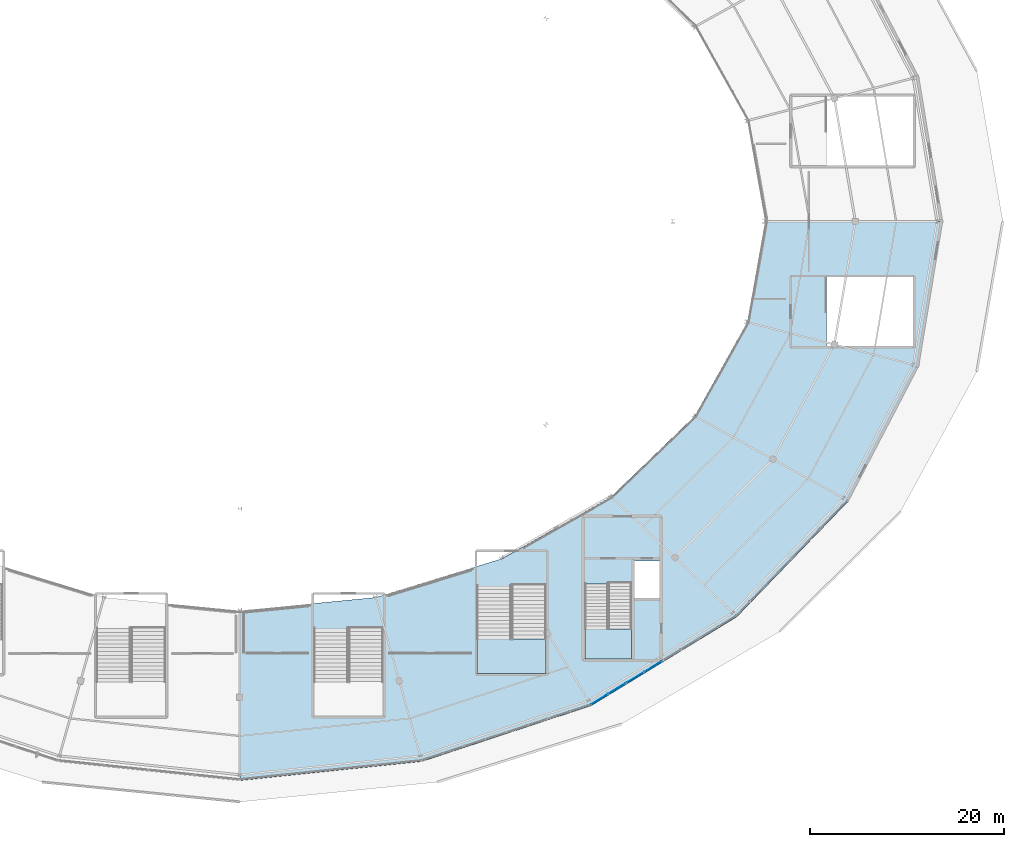
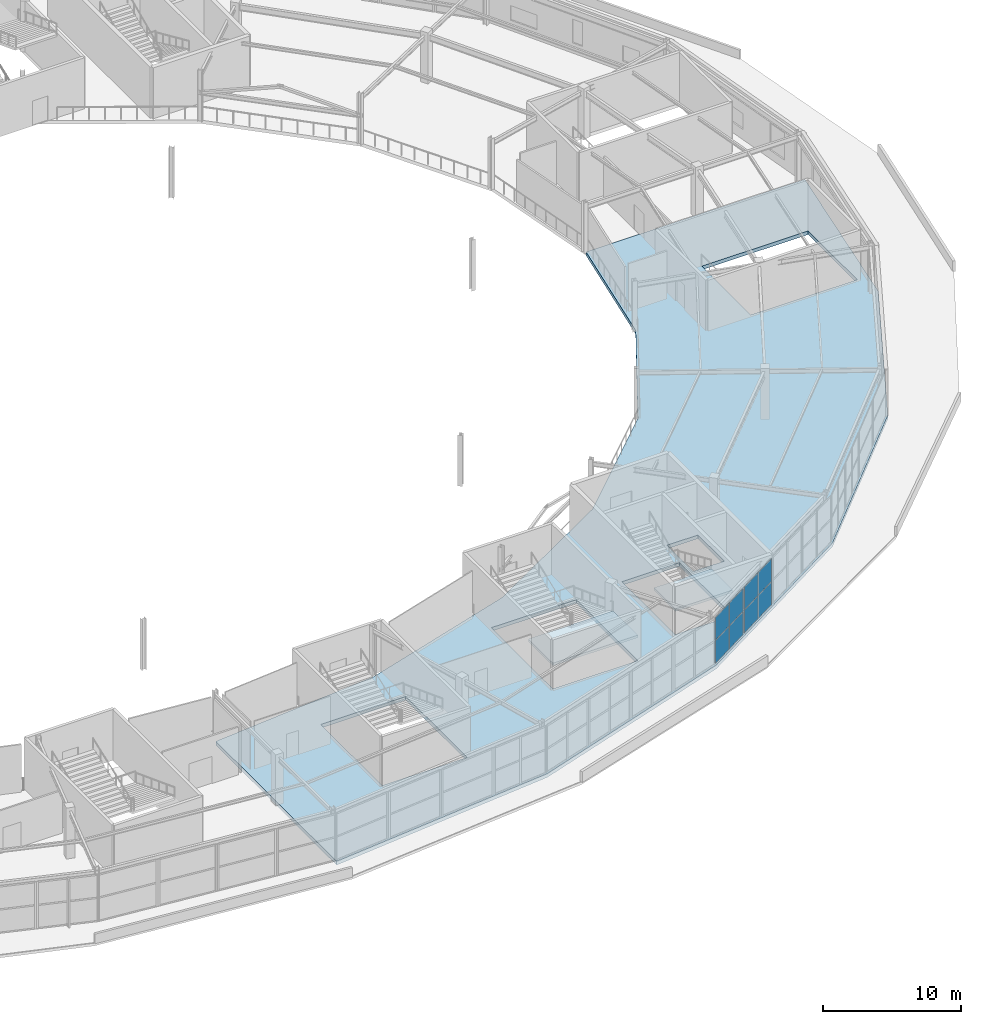
# One storey, part 95 of 126: 8 plates, 3 slabs, 4 elements without a shape of their own.
"""IFC4 building model written with IfcOpenShell, lengths in metres."""

from ifc_helpers import new_model, si_unit, direction, frame, origin, origin_2d, place, context, subcontext, project, spatial, polyline, rectangle, outline, extrude, material, layer, layer_set, type_object, element, aggregate, save


model = new_model("IFC4")

# Units and contexts
model_context = context("Model", 3, precision=1e-05, world=origin(), true_north=direction((0.0, 1.0)))
body_context = subcontext(model_context, "Body", "Model", "MODEL_VIEW")
ifc_project = project(units=[si_unit("LENGTHUNIT", "METRE"), si_unit("AREAUNIT", "SQUARE_METRE"), si_unit("VOLUMEUNIT", "CUBIC_METRE"), si_unit("PLANEANGLEUNIT", "RADIAN"), si_unit("MASSUNIT", "GRAM", prefix="KILO")], contexts=[model_context])

# Site, building, storey
site_placement = place(None, origin())
site = spatial("IfcSite", under=ifc_project, at=site_placement, CompositionType="ELEMENT")
building_placement = place(site_placement, origin())
building = spatial("IfcBuilding", under=site, at=building_placement, Name="Kalgoora Escarpment Arena", CompositionType="ELEMENT")
storey_placement = place(building_placement, frame((0.0, 0.0, 18.89990234375)))
storey = spatial("IfcBuildingStorey", under=building, at=storey_placement, Name="L04", CompositionType="ELEMENT", Elevation=18.89990234375)

# Curtain wall, plates
ifc_material_1 = material(Name=" Champagne anodised aluminium & double-glazed low-E", Category="aluminium")
ifc_layer_1 = layer(ifc_material_1, 0.14990234375)
ifc_layer_set_1 = layer_set([ifc_layer_1], Name="CW-UNIT-05")
curtain_wall_type_1 = type_object("IfcCurtainWallType", Name="CW-UNIT-05", PredefinedType="NOTDEFINED", material=ifc_layer_set_1)
curtain_wall_1_placement = place(storey_placement, origin())
curtain_wall_1 = element("IfcCurtainWall", 1, at=curtain_wall_1_placement, inside=storey, type_object=curtain_wall_type_1, Name="L04 unitised facade curtain wall 104", PredefinedType="NOTDEFINED")
ifc_material_2 = material(Name="Low-E double-glazed insulated glass", Category="glass")
ifc_layer_2 = layer(ifc_material_2, 0.028076171875)
ifc_layer_set_2 = layer_set([ifc_layer_2], Name="PLT-CW-GLAZ-28")
plate_type_1 = type_object("IfcPlateType", Name="PLT-CW-GLAZ-28", PredefinedType="CURTAIN_PANEL", material=ifc_layer_set_2)
plate_1_placement = place(storey_placement, frame((134.9599609375, 18.14013671875, 0.080078125), z_axis=(0.0, 0.0, 1.0), x_axis=(-0.853527069701, -0.521048501858, 0.0)))
plate_1 = element("IfcPlate", 2, at=plate_1_placement, type_object=plate_type_1, Name="CW-05 panel 1.1", PredefinedType="CURTAIN_PANEL", context=body_context, shape_type="SweptSolid", body=[
    extrude(rectangle(XDim=2.028564453125, YDim=0.028076171875, at=origin_2d()), origin(), (0.0, 0.0, 1.0), 2.0048828125),
])
plate_2_placement = place(storey_placement, frame((134.9599609375, 18.14013671875, 2.14501953125), z_axis=(0.0, 0.0, 1.0), x_axis=(-0.853527069701, -0.521048501858, 0.0)))
plate_2 = element("IfcPlate", 3, at=plate_2_placement, type_object=plate_type_1, Name="CW-05 panel 1.2", PredefinedType="CURTAIN_PANEL", context=body_context, shape_type="SweptSolid", body=[
    extrude(rectangle(XDim=2.028564453125, YDim=0.028076171875, at=origin_2d()), origin(), (0.0, 0.0, 1.0), 1.985107421875),
])
plate_3_placement = place(storey_placement, frame((133.173095703125, 17.04931640625, 0.080078125), z_axis=(0.0, 0.0, 1.0), x_axis=(-0.853527069701, -0.521048501858, 0.0)))
plate_3 = element("IfcPlate", 4, at=plate_3_placement, type_object=plate_type_1, Name="CW-05 panel 2.1", PredefinedType="CURTAIN_PANEL", context=body_context, shape_type="SweptSolid", body=[
    extrude(rectangle(XDim=2.028564453125, YDim=0.028076171875, at=origin_2d()), origin(), (0.0, 0.0, 1.0), 2.0048828125),
])
plate_4_placement = place(storey_placement, frame((133.173095703125, 17.04931640625, 2.14501953125), z_axis=(0.0, 0.0, 1.0), x_axis=(-0.853527069701, -0.521048501858, 0.0)))
plate_4 = element("IfcPlate", 5, at=plate_4_placement, type_object=plate_type_1, Name="CW-05 panel 2.2", PredefinedType="CURTAIN_PANEL", context=body_context, shape_type="SweptSolid", body=[
    extrude(rectangle(XDim=2.028564453125, YDim=0.028076171875, at=origin_2d()), origin(), (0.0, 0.0, 1.0), 1.985107421875),
])
aggregate(curtain_wall_1, [plate_1, plate_2, plate_3, plate_4])

ifc_material_3 = material(Name=" Champagne anodised aluminium & double-glazed low-E", Category="aluminium")
ifc_layer_3 = layer(ifc_material_3, 0.154052734375)
ifc_layer_set_3 = layer_set([ifc_layer_3], Name="CW-UNIT-06")
curtain_wall_type_2 = type_object("IfcCurtainWallType", Name="CW-UNIT-06", PredefinedType="NOTDEFINED", material=ifc_layer_set_3)
curtain_wall_2_placement = place(storey_placement, origin())
curtain_wall_2 = element("IfcCurtainWall", 6, at=curtain_wall_2_placement, inside=storey, type_object=curtain_wall_type_2, Name="L04 unitised facade curtain wall 105", PredefinedType="NOTDEFINED")
ifc_material_4 = material(Name="Acoustic laminated solar-control glass", Category="glass")
ifc_layer_4 = layer(ifc_material_4, 0.033935546875)
ifc_layer_set_4 = layer_set([ifc_layer_4], Name="PLT-CW-GLAZ-34")
plate_type_2 = type_object("IfcPlateType", Name="PLT-CW-GLAZ-34", PredefinedType="CURTAIN_PANEL", material=ifc_layer_set_4)
plate_5_placement = place(storey_placement, frame((131.245361328125, 15.87255859375, 0.080078125), z_axis=(0.0, 0.0, 1.0), x_axis=(-0.853520684485, -0.521058961304, 0.0)))
plate_5 = element("IfcPlate", 7, at=plate_5_placement, type_object=plate_type_2, Name="CW-06 panel 1.1", PredefinedType="CURTAIN_PANEL", context=body_context, shape_type="SweptSolid", body=[
    extrude(rectangle(XDim=2.028564453125, YDim=0.033935546875, at=origin_2d()), origin(), (0.0, 0.0, 1.0), 2.0048828125),
])
plate_6_placement = place(storey_placement, frame((131.245361328125, 15.87255859375, 2.14501953125), z_axis=(0.0, 0.0, 1.0), x_axis=(-0.853520684485, -0.521058961304, 0.0)))
plate_6 = element("IfcPlate", 8, at=plate_6_placement, type_object=plate_type_2, Name="CW-06 panel 1.2", PredefinedType="CURTAIN_PANEL", context=body_context, shape_type="SweptSolid", body=[
    extrude(rectangle(XDim=2.028564453125, YDim=0.033935546875, at=origin_2d()), origin(), (0.0, 0.0, 1.0), 1.985107421875),
])
plate_7_placement = place(storey_placement, frame((129.458740234375, 14.78173828125, 0.080078125), z_axis=(0.0, 0.0, 1.0), x_axis=(-0.853520684485, -0.521058961304, 0.0)))
plate_7 = element("IfcPlate", 9, at=plate_7_placement, type_object=plate_type_2, Name="CW-06 panel 2.1", PredefinedType="CURTAIN_PANEL", context=body_context, shape_type="SweptSolid", body=[
    extrude(rectangle(XDim=2.028564453125, YDim=0.033935546875, at=origin_2d()), origin(), (0.0, 0.0, 1.0), 2.0048828125),
])
plate_8_placement = place(storey_placement, frame((129.458740234375, 14.78173828125, 2.14501953125), z_axis=(0.0, 0.0, 1.0), x_axis=(-0.853520684485, -0.521058961304, 0.0)))
plate_8 = element("IfcPlate", 10, at=plate_8_placement, type_object=plate_type_2, Name="CW-06 panel 2.2", PredefinedType="CURTAIN_PANEL", context=body_context, shape_type="SweptSolid", body=[
    extrude(rectangle(XDim=2.028564453125, YDim=0.033935546875, at=origin_2d()), origin(), (0.0, 0.0, 1.0), 1.985107421875),
])
aggregate(curtain_wall_2, [plate_5, plate_6, plate_7, plate_8])

# Slab
ifc_material_5 = material(Name="Concrete N50 (fc' 50 MPa)", Category="concrete")
ifc_layer_5 = layer(ifc_material_5, 0.320068359375)
ifc_layer_set_5 = layer_set([ifc_layer_5], Name="SLB-SKY-320")
slab_type_1 = type_object("IfcSlabType", Name="SLB-SKY-320", PredefinedType="FLOOR", material=ifc_layer_set_5)
slab_1_placement = place(storey_placement, frame((0.0, 0.0, -0.31982421875)))
element("IfcSlab", 11, at=slab_1_placement, inside=storey, type_object=slab_type_1, Name="L04 concourse ring SE floor slab", PredefinedType="FLOOR", context=body_context, shape_type="SweptSolid", body=[
    extrude(outline(polyline([(128.60009765625, 14.116943359375), (111.138427734375, 8.36279296875), (92.39990234375, 6.39990234375), (92.39990234375, 23.89990234375), (106.402099609375, 25.266357421875), (119.449951171875, 29.2724609375), (130.654541015625, 35.64501953125), (139.251953125, 43.949951171875), (144.656494140625, 53.621337890625), (146.5, 64.0), (164.800048828125, 64.0), (162.3330078125, 49.092041015625), (155.10009765625, 35.199951171875), (143.594482421875, 23.2705078125), (128.60009765625, 14.116943359375)]), holes=[polyline([(100.050048828125, 21.949951171875), (100.050048828125, 13.050048828125), (107.14990234375, 13.050048828125), (107.14990234375, 21.949951171875), (100.050048828125, 21.949951171875)]), polyline([(116.85009765625, 26.35009765625), (116.85009765625, 17.449951171875), (123.949951171875, 17.449951171875), (123.949951171875, 26.35009765625), (116.85009765625, 26.35009765625)]), polyline([(127.949951171875, 26.64990234375), (127.949951171875, 18.949951171875), (132.75, 18.949951171875), (132.75, 26.64990234375), (127.949951171875, 26.64990234375)]), polyline([(135.64990234375, 29.0), (133.050048828125, 29.0), (133.050048828125, 25.199951171875), (135.64990234375, 25.199951171875), (135.64990234375, 29.0)]), polyline([(161.75, 58.25), (152.85009765625, 58.25), (152.85009765625, 51.14990234375), (161.75, 51.14990234375), (161.75, 58.25)])]), origin(), (0.0, 0.0, 1.0), 0.31982421875),
])

# Stair, slab
ifc_material_6 = material(Name="Concrete N40 (fc' 40 MPa)", Category="concrete")
stair_type_1 = type_object("IfcStairType", Name="STR-EXIT-2", PredefinedType="HALF_TURN_STAIR", material=ifc_material_6)
stair_1_placement = place(storey_placement, origin())
stair_1 = element("IfcStair", 12, at=stair_1_placement, inside=storey, type_object=stair_type_1, Name="Fire-isolated exit stair ST06 (L04)", PredefinedType="HALF_TURN_STAIR")
ifc_material_7 = material(Name="Concrete N40 (fc' 40 MPa)", Category="concrete")
ifc_layer_6 = layer(ifc_material_7, 0.219970703125)
ifc_layer_set_6 = layer_set([ifc_layer_6], Name="SLB-ST-LAND-220")
slab_type_2 = type_object("IfcSlabType", Name="SLB-ST-LAND-220", PredefinedType="LANDING", material=ifc_layer_set_6)
slab_2_placement = place(storey_placement, frame((0.0, 0.0, 2.030029296875)))
slab_2 = element("IfcSlab", 13, at=slab_2_placement, type_object=slab_type_2, Name="ST06 L04 half-landing", PredefinedType="LANDING", context=body_context, shape_type="SweptSolid", body=[
    extrude(outline(polyline([(132.75, 22.0400390625), (132.75, 18.949951171875), (127.949951171875, 18.949951171875), (127.949951171875, 22.0400390625), (132.75, 22.0400390625)])), origin(), (0.0, 0.0, 1.0), 0.219970703125),
])
aggregate(stair_1, [slab_2])

ifc_material_8 = material(Name="Precast concrete N50 (fc' 50 MPa)", Category="concrete")
stair_type_2 = type_object("IfcStairType", Name="STR-STAD-4", PredefinedType="HALF_TURN_STAIR", material=ifc_material_8)
stair_2_placement = place(storey_placement, origin())
stair_2 = element("IfcStair", 14, at=stair_2_placement, inside=storey, type_object=stair_type_2, Name="Fire-isolated exit stair ST16 (L04)", PredefinedType="HALF_TURN_STAIR")
slab_3_placement = place(storey_placement, frame((0.0, 0.0, 2.030029296875)))
slab_3 = element("IfcSlab", 15, at=slab_3_placement, type_object=slab_type_2, Name="ST16 L04 half-landing", PredefinedType="LANDING", context=body_context, shape_type="SweptSolid", body=[
    extrude(outline(polyline([(123.949951171875, 21.0), (123.949951171875, 17.449951171875), (116.85009765625, 17.449951171875), (116.85009765625, 21.0), (123.949951171875, 21.0)])), origin(), (0.0, 0.0, 1.0), 0.219970703125),
])
aggregate(stair_2, [slab_3])

save(model, "model.ifc")
